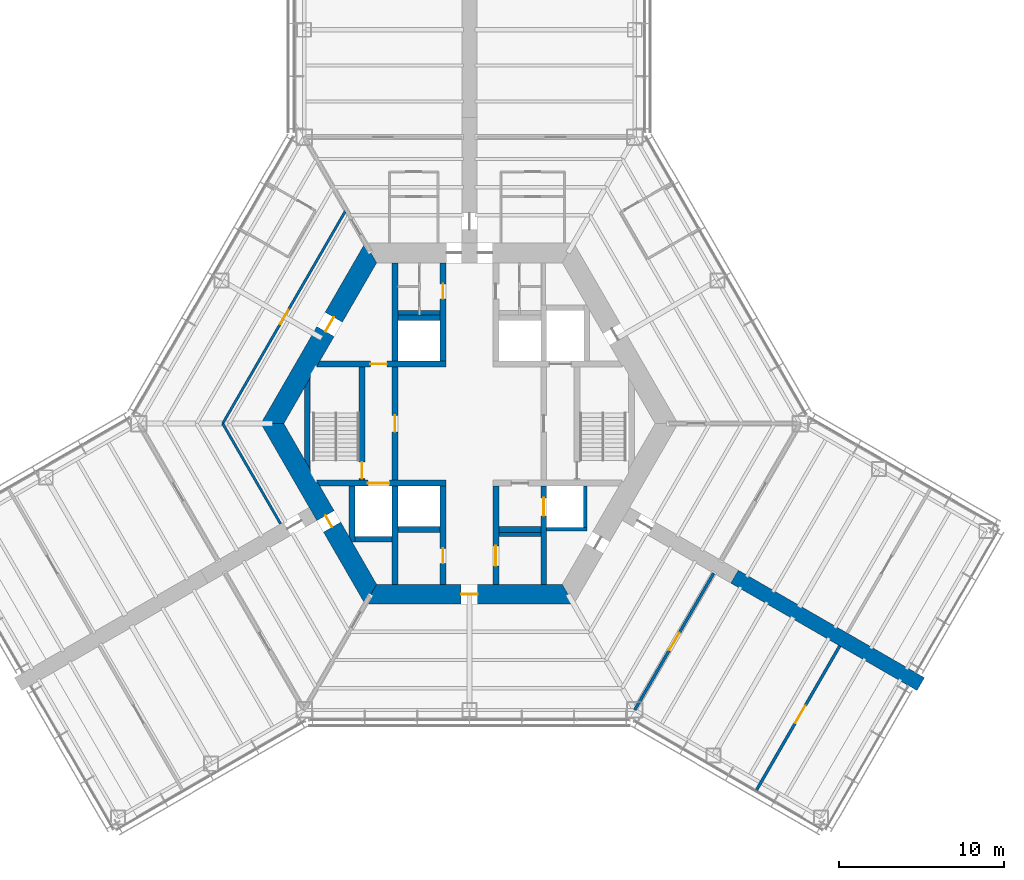
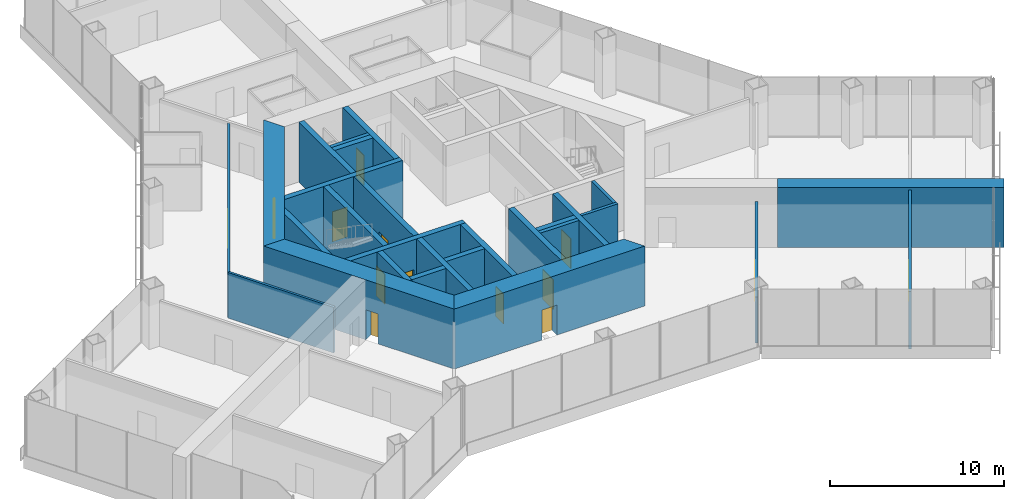
# One storey, part 11 of 16: 28 walls, 14 doors, 14 openings.
"""IFC4 building model written with IfcOpenShell, lengths in metres."""

from ifc_helpers import new_model, si_unit, direction, frame, frame_2d, origin, place, context, subcontext, project, spatial, polyline, rectangle, outline, extrude, material, layer, layer_set, type_object, element, fill, save


model = new_model("IFC4")

# Units and contexts
model_context = context("Model", 3, precision=1e-05, world=origin(), true_north=direction((0.0, 1.0)))
body_context = subcontext(model_context, "Body", "Model", "MODEL_VIEW")
ifc_project = project(units=[si_unit("LENGTHUNIT", "METRE"), si_unit("AREAUNIT", "SQUARE_METRE"), si_unit("VOLUMEUNIT", "CUBIC_METRE"), si_unit("PLANEANGLEUNIT", "RADIAN"), si_unit("MASSUNIT", "GRAM", prefix="KILO")], contexts=[model_context])

# Site, building, storey
site_placement = place(None, origin())
site = spatial("IfcSite", under=ifc_project, at=site_placement, CompositionType="ELEMENT")
building_placement = place(site_placement, origin())
building = spatial("IfcBuilding", under=site, at=building_placement, Name="Kasaneha Research Tower", CompositionType="ELEMENT")
storey_placement = place(building_placement, frame((0.0, 0.0, 18.39990234375)))
storey = spatial("IfcBuildingStorey", under=building, at=storey_placement, Name="L05", CompositionType="ELEMENT", Elevation=18.39990234375)

# Wall, opening, door
ifc_material_1 = material(Name="Concrete Fc100", Category="concrete")
ifc_layer_1 = layer(ifc_material_1, 0.35009765625)
ifc_layer_set_1 = layer_set([ifc_layer_1], Name="Core internal wall 350 Fc100")
wall_type_1 = type_object("IfcWallType", Name="Core internal wall 350 Fc100", PredefinedType="SHEAR", material=ifc_layer_set_1)
wall_1_placement = place(storey_placement, frame((-9.151123046875, 3.60009765625, 0.0), z_axis=(0.0, 0.0, 1.0), x_axis=(1.0, 0.0, 0.0)))
wall_1 = element("IfcWall", 1, at=wall_1_placement, inside=storey, type_object=wall_type_1, Name="Core wall W1W L05", PredefinedType="SHEAR", context=body_context, shape_type="SweptSolid", body=[
    extrude(outline(polyline([(-0.10107421875, -0.175048828125), (3.151123046875, -0.175048828125), (4.151123046875, -0.175048828125), (7.72607421875, -0.175048828125), (7.72607421875, 0.175048828125), (4.151123046875, 0.175048828125), (3.151123046875, 0.175048828125), (0.10107421875, 0.175048828125), (-0.10107421875, -0.175048828125)])), origin(), (0.0, 0.0, 1.0), 4.2001953125),
])
opening_1_placement = place(wall_1_placement, frame((3.151123046875, 0.0, 0.0)))
opening_1 = element("IfcOpeningElement", 2, at=opening_1_placement, cuts=wall_1, Name="Opening L05-D12", PredefinedType="OPENING", context=body_context, shape_type="SweptSolid", body=[
    extrude(rectangle(XDim=1.0, YDim=2.10009765625, at=frame_2d((0.5, 1.050048828125))), frame((0.0, 0.18505859375, 0.0), z_axis=(0.0, -1.0, 0.0), x_axis=(1.0, 0.0, 0.0)), (0.0, 0.0, 1.0), 0.3701171875),
])
ifc_material_2 = material(Name="Steel", Category="steel")
door_type_1 = type_object("IfcDoorType", Name="Specified fire door FD60 1000x2100", OperationType="NOTDEFINED", PredefinedType="DOOR", material=ifc_material_2)
door_1_placement = place(opening_1_placement, origin())
door_1 = element("IfcDoor", 3, at=door_1_placement, inside=storey, type_object=door_type_1, Name="Vestibule to lobby door L05-D12", OperationType="SINGLE_SWING_LEFT", OverallHeight=2.10009765625, OverallWidth=1.0, PredefinedType="DOOR", context=body_context, shape_type="SweptSolid", body=[
    extrude(rectangle(XDim=1.0, YDim=2.10009765625, at=frame_2d((0.5, 1.050048828125))), frame((0.0, 0.02490234375, 0.0), z_axis=(0.0, -1.0, 0.0), x_axis=(1.0, 0.0, 0.0)), (0.0, 0.0, 1.0), 0.050048828125),
])
fill(opening_1, door_1)

wall_2_placement = place(storey_placement, frame((-9.151123046875, -3.60009765625, 0.0), z_axis=(0.0, 0.0, 1.0), x_axis=(1.0, 0.0, 0.0)))
wall_2 = element("IfcWall", 4, at=wall_2_placement, inside=storey, type_object=wall_type_1, Name="Core wall W2W L05", PredefinedType="SHEAR", context=body_context, shape_type="SweptSolid", body=[
    extrude(outline(polyline([(0.10107421875, -0.175048828125), (3.0009765625, -0.175048828125), (4.301025390625, -0.175048828125), (7.72607421875, -0.175048828125), (7.72607421875, 0.175048828125), (4.301025390625, 0.175048828125), (3.0009765625, 0.175048828125), (-0.10107421875, 0.175048828125), (0.10107421875, -0.175048828125)])), origin(), (0.0, 0.0, 1.0), 4.2001953125),
])
opening_2_placement = place(wall_2_placement, frame((3.0009765625, 0.0, 0.0)))
opening_2 = element("IfcOpeningElement", 5, at=opening_2_placement, cuts=wall_2, Name="Opening LD-FL2-L05", PredefinedType="OPENING", context=body_context, shape_type="SweptSolid", body=[
    extrude(rectangle(XDim=1.300048828125, YDim=2.10009765625, at=frame_2d((0.64990234375, 1.050048828125))), frame((0.0, 0.18505859375, 0.0), z_axis=(0.0, -1.0, 0.0), x_axis=(1.0, 0.0, 0.0)), (0.0, 0.0, 1.0), 0.3701171875),
])
ifc_material_3 = material(Name="Steel", Category="steel")
door_type_2 = type_object("IfcDoorType", Name="Lift landing door 1300x2100", OperationType="DOUBLE_DOOR_SLIDING", PredefinedType="DOOR", material=ifc_material_3)
door_2_placement = place(opening_2_placement, origin())
door_2 = element("IfcDoor", 6, at=door_2_placement, inside=storey, type_object=door_type_2, Name="Landing door FL2 LD-FL2-L05", OperationType="DOUBLE_DOOR_SLIDING", OverallHeight=2.10009765625, OverallWidth=1.300048828125, PredefinedType="DOOR", context=body_context, shape_type="SweptSolid", body=[
    extrude(rectangle(XDim=1.300048828125, YDim=2.10009765625, at=frame_2d((0.64990234375, 1.050048828125))), frame((0.0, 0.02490234375, 0.0), z_axis=(0.0, -1.0, 0.0), x_axis=(1.0, 0.0, 0.0)), (0.0, 0.0, 1.0), 0.050048828125),
])
fill(opening_2, door_2)

wall_3_placement = place(storey_placement, frame((-1.60009765625, 3.77490234375, 0.0), z_axis=(0.0, 0.0, 1.0), x_axis=(0.0, 1.0, 0.0)))
wall_3 = element("IfcWall", 7, at=wall_3_placement, inside=storey, type_object=wall_type_1, Name="Core wall CNW L05", PredefinedType="SHEAR", context=body_context, shape_type="SweptSolid", body=[
    extrude(rectangle(XDim=5.9501953125, YDim=0.35009765625, at=frame_2d((2.97509765625, 0.0))), origin(), (0.0, 0.0, 1.0), 4.2001953125),
])
opening_3_placement = place(wall_3_placement, frame((3.77490234375, 0.0, 0.0)))
opening_3 = element("IfcOpeningElement", 8, at=opening_3_placement, cuts=wall_3, Name="Opening L05-D13", PredefinedType="OPENING", context=body_context, shape_type="SweptSolid", body=[
    extrude(rectangle(XDim=0.89990234375, YDim=2.10009765625, at=frame_2d((0.449951171875, 1.050048828125))), frame((0.0, 0.18505859375, 0.0), z_axis=(0.0, -1.0, 0.0), x_axis=(1.0, 0.0, 0.0)), (0.0, 0.0, 1.0), 0.3701171875),
])
ifc_material_4 = material(Name="Steel", Category="steel")
door_type_3 = type_object("IfcDoorType", Name="Toilet door FD20 900x2100", OperationType="NOTDEFINED", PredefinedType="DOOR", material=ifc_material_4)
door_3_placement = place(opening_3_placement, origin())
door_3 = element("IfcDoor", 9, at=door_3_placement, inside=storey, type_object=door_type_3, Name="Men's WC door L05-D13", OperationType="SINGLE_SWING_LEFT", OverallHeight=2.10009765625, OverallWidth=0.89990234375, PredefinedType="DOOR", context=body_context, shape_type="SweptSolid", body=[
    extrude(rectangle(XDim=0.89990234375, YDim=2.10009765625, at=frame_2d((0.449951171875, 1.050048828125))), frame((0.0, 0.02490234375, 0.0), z_axis=(0.0, -1.0, 0.0), x_axis=(1.0, 0.0, 0.0)), (0.0, 0.0, 1.0), 0.050048828125),
])
fill(opening_3, door_3)

wall_4_placement = place(storey_placement, frame((-1.60009765625, -3.77490234375, 0.0), z_axis=(0.0, 0.0, 1.0), x_axis=(0.0, -1.0, 0.0)))
wall_4 = element("IfcWall", 10, at=wall_4_placement, inside=storey, type_object=wall_type_1, Name="Core wall CSW L05", PredefinedType="SHEAR", context=body_context, shape_type="SweptSolid", body=[
    extrude(rectangle(XDim=5.9501953125, YDim=0.35009765625, at=frame_2d((2.97509765625, 0.0))), origin(), (0.0, 0.0, 1.0), 4.2001953125),
])
opening_4_placement = place(wall_4_placement, frame((3.77490234375, 0.0, 0.0)))
opening_4 = element("IfcOpeningElement", 11, at=opening_4_placement, cuts=wall_4, Name="Opening L05-D16", PredefinedType="OPENING", context=body_context, shape_type="SweptSolid", body=[
    extrude(rectangle(XDim=0.89990234375, YDim=2.10009765625, at=frame_2d((0.449951171875, 1.050048828125))), frame((0.0, 0.18505859375, 0.0), z_axis=(0.0, -1.0, 0.0), x_axis=(1.0, 0.0, 0.0)), (0.0, 0.0, 1.0), 0.3701171875),
])
ifc_material_5 = material(Name="Steel", Category="steel")
door_type_4 = type_object("IfcDoorType", Name="Riser access door FD60 900x2100", OperationType="NOTDEFINED", PredefinedType="DOOR", material=ifc_material_5)
door_4_placement = place(opening_4_placement, origin())
door_4 = element("IfcDoor", 12, at=door_4_placement, inside=storey, type_object=door_type_4, Name="Electrical riser door L05-D16", OperationType="SINGLE_SWING_LEFT", OverallHeight=2.10009765625, OverallWidth=0.89990234375, PredefinedType="DOOR", context=body_context, shape_type="SweptSolid", body=[
    extrude(rectangle(XDim=0.89990234375, YDim=2.10009765625, at=frame_2d((0.449951171875, 1.050048828125))), frame((0.0, 0.02490234375, 0.0), z_axis=(0.0, -1.0, 0.0), x_axis=(1.0, 0.0, 0.0)), (0.0, 0.0, 1.0), 0.050048828125),
])
fill(opening_4, door_4)

wall_5_placement = place(storey_placement, frame((1.60009765625, -3.77490234375, 0.0), z_axis=(0.0, 0.0, 1.0), x_axis=(0.0, -1.0, 0.0)))
wall_5 = element("IfcWall", 13, at=wall_5_placement, inside=storey, type_object=wall_type_1, Name="Core wall CSE L05", PredefinedType="SHEAR", context=body_context, shape_type="SweptSolid", body=[
    extrude(rectangle(XDim=5.9501953125, YDim=0.35009765625, at=frame_2d((2.97509765625, 0.0))), origin(), (0.0, 0.0, 1.0), 4.2001953125),
])
opening_5_placement = place(wall_5_placement, frame((3.625, 0.0, 0.0)))
opening_5 = element("IfcOpeningElement", 14, at=opening_5_placement, cuts=wall_5, Name="Opening L05-D15", PredefinedType="OPENING", context=body_context, shape_type="SweptSolid", body=[
    extrude(rectangle(XDim=1.199951171875, YDim=2.10009765625, at=frame_2d((0.60009765625, 1.050048828125))), frame((0.0, 0.18505859375, 0.0), z_axis=(0.0, -1.0, 0.0), x_axis=(1.0, 0.0, 0.0)), (0.0, 0.0, 1.0), 0.3701171875),
])
ifc_material_6 = material(Name="Steel", Category="steel")
door_type_5 = type_object("IfcDoorType", Name="Accessible toilet sliding door FD20 1200x2100", OperationType="SLIDING_TO_LEFT", PredefinedType="DOOR", material=ifc_material_6)
door_5_placement = place(opening_5_placement, origin())
door_5 = element("IfcDoor", 15, at=door_5_placement, inside=storey, type_object=door_type_5, Name="Accessible WC door L05-D15", OperationType="SLIDING_TO_LEFT", OverallHeight=2.10009765625, OverallWidth=1.199951171875, PredefinedType="DOOR", context=body_context, shape_type="SweptSolid", body=[
    extrude(rectangle(XDim=1.199951171875, YDim=2.10009765625, at=frame_2d((0.60009765625, 1.050048828125))), frame((0.0, 0.02490234375, 0.0), z_axis=(0.0, -1.0, 0.0), x_axis=(1.0, 0.0, 0.0)), (0.0, 0.0, 1.0), 0.050048828125),
])
fill(opening_5, door_5)

wall_6_placement = place(storey_placement, frame((-4.5, -3.425048828125, 0.0), z_axis=(0.0, 0.0, 1.0), x_axis=(0.0, 1.0, 0.0)))
wall_6 = element("IfcWall", 16, at=wall_6_placement, inside=storey, type_object=wall_type_1, Name="Core wall LBW L05", PredefinedType="SHEAR", context=body_context, shape_type="SweptSolid", body=[
    extrude(rectangle(XDim=6.85009765625, YDim=0.35009765625, at=frame_2d((3.425048828125, 0.0))), origin(), (0.0, 0.0, 1.0), 4.2001953125),
])
opening_6_placement = place(wall_6_placement, frame((2.925048828125, 0.0, 0.0)))
opening_6 = element("IfcOpeningElement", 17, at=opening_6_placement, cuts=wall_6, Name="Opening L05-D09", PredefinedType="OPENING", context=body_context, shape_type="SweptSolid", body=[
    extrude(rectangle(XDim=1.0, YDim=2.10009765625, at=frame_2d((0.5, 1.050048828125))), frame((0.0, 0.18505859375, 0.0), z_axis=(0.0, -1.0, 0.0), x_axis=(1.0, 0.0, 0.0)), (0.0, 0.0, 1.0), 0.3701171875),
])
door_6_placement = place(opening_6_placement, origin())
door_6 = element("IfcDoor", 18, at=door_6_placement, inside=storey, type_object=door_type_1, Name="Lift lobby door west L05-D09", OperationType="SINGLE_SWING_LEFT", OverallHeight=2.10009765625, OverallWidth=1.0, PredefinedType="DOOR", context=body_context, shape_type="SweptSolid", body=[
    extrude(rectangle(XDim=1.0, YDim=2.10009765625, at=frame_2d((0.5, 1.050048828125))), frame((0.0, 0.02490234375, 0.0), z_axis=(0.0, -1.0, 0.0), x_axis=(1.0, 0.0, 0.0)), (0.0, 0.0, 1.0), 0.050048828125),
])
fill(opening_6, door_6)

wall_7_placement = place(storey_placement, frame((-6.5, -3.425048828125, 0.0), z_axis=(0.0, 0.0, 1.0), x_axis=(0.0, 1.0, 0.0)))
wall_7 = element("IfcWall", 19, at=wall_7_placement, inside=storey, type_object=wall_type_1, Name="Core wall ANW L05", PredefinedType="SHEAR", context=body_context, shape_type="SweptSolid", body=[
    extrude(rectangle(XDim=6.85009765625, YDim=0.35009765625, at=frame_2d((3.425048828125, 0.0))), origin(), (0.0, 0.0, 1.0), 4.2001953125),
])
opening_7_placement = place(wall_7_placement, frame((0.10009765625, 0.0, 0.0)))
opening_7 = element("IfcOpeningElement", 20, at=opening_7_placement, cuts=wall_7, Name="Opening L05-D11", PredefinedType="OPENING", context=body_context, shape_type="SweptSolid", body=[
    extrude(rectangle(XDim=1.0, YDim=2.10009765625, at=frame_2d((0.5, 1.050048828125))), frame((0.0, 0.18505859375, 0.0), z_axis=(0.0, -1.0, 0.0), x_axis=(1.0, 0.0, 0.0)), (0.0, 0.0, 1.0), 0.3701171875),
])
door_7_placement = place(opening_7_placement, origin())
door_7 = element("IfcDoor", 21, at=door_7_placement, inside=storey, type_object=door_type_1, Name="Stair 2 door L05-D11", OperationType="SINGLE_SWING_LEFT", OverallHeight=2.10009765625, OverallWidth=1.0, PredefinedType="DOOR", context=body_context, shape_type="SweptSolid", body=[
    extrude(rectangle(XDim=1.0, YDim=2.10009765625, at=frame_2d((0.5, 1.050048828125))), frame((0.0, 0.02490234375, 0.0), z_axis=(0.0, -1.0, 0.0), x_axis=(1.0, 0.0, 0.0)), (0.0, 0.0, 1.0), 0.050048828125),
])
fill(opening_7, door_7)

# Walls
for number, where, z_axis, x_axis, name in (
    (22, (-4.5, 3.77490234375, 0.0), (0.0, 0.0, 1.0), (0.0, 1.0, 0.0), "Core wall VNW L05"),
    (23, (-4.5, -3.77490234375, 0.0), (0.0, 0.0, 1.0), (0.0, -1.0, 0.0), "Core wall SSW L05"),
):
    element("IfcWall", number, at=place(storey_placement, frame(where, z_axis=z_axis, x_axis=x_axis)), inside=storey, type_object=wall_type_1, Name=name, PredefinedType="SHEAR", context=body_context, shape_type="SweptSolid", body=[
        extrude(rectangle(XDim=5.9501953125, YDim=0.35009765625, at=frame_2d((2.97509765625, 0.0))), origin(), (0.0, 0.0, 1.0), 4.2001953125),
    ])

# Wall, opening, door
wall_8_placement = place(storey_placement, frame((4.5, -3.77490234375, 0.0), z_axis=(0.0, 0.0, 1.0), x_axis=(0.0, -1.0, 0.0)))
wall_8 = element("IfcWall", 24, at=wall_8_placement, inside=storey, type_object=wall_type_1, Name="Core wall SSE L05", PredefinedType="SHEAR", context=body_context, shape_type="SweptSolid", body=[
    extrude(rectangle(XDim=5.9501953125, YDim=0.35009765625, at=frame_2d((2.97509765625, 0.0))), origin(), (0.0, 0.0, 1.0), 4.2001953125),
])
opening_8_placement = place(wall_8_placement, frame((0.71240234375, 0.0, 0.0)))
opening_8 = element("IfcOpeningElement", 25, at=opening_8_placement, cuts=wall_8, Name="Opening LD-PL1-L05", PredefinedType="OPENING", context=body_context, shape_type="SweptSolid", body=[
    extrude(rectangle(XDim=1.10009765625, YDim=2.10009765625, at=frame_2d((0.550048828125, 1.050048828125))), frame((0.0, 0.18505859375, 0.0), z_axis=(0.0, -1.0, 0.0), x_axis=(1.0, 0.0, 0.0)), (0.0, 0.0, 1.0), 0.3701171875),
])
ifc_material_7 = material(Name="Steel", Category="steel")
door_type_6 = type_object("IfcDoorType", Name="Lift landing door 1100x2100", OperationType="DOUBLE_DOOR_SLIDING", PredefinedType="DOOR", material=ifc_material_7)
door_8_placement = place(opening_8_placement, origin())
door_8 = element("IfcDoor", 26, at=door_8_placement, inside=storey, type_object=door_type_6, Name="Landing door PL1 LD-PL1-L05", OperationType="DOUBLE_DOOR_SLIDING", OverallHeight=2.10009765625, OverallWidth=1.10009765625, PredefinedType="DOOR", context=body_context, shape_type="SweptSolid", body=[
    extrude(rectangle(XDim=1.10009765625, YDim=2.10009765625, at=frame_2d((0.550048828125, 1.050048828125))), frame((0.0, 0.02490234375, 0.0), z_axis=(0.0, -1.0, 0.0), x_axis=(1.0, 0.0, 0.0)), (0.0, 0.0, 1.0), 0.050048828125),
])
fill(opening_8, door_8)

# Walls
for number, where, z_axis, x_axis, name in (
    (27, (-4.324951171875, 6.39990234375, 0.0), (0.0, 0.0, 1.0), (1.0, 0.0, 0.0), "Core wall N1N L05"),
    (28, (-4.324951171875, -6.39990234375, 0.0), (0.0, 0.0, 1.0), (1.0, 0.0, 0.0), "Core wall S1S L05"),
    (29, (1.77490234375, -6.39990234375, 0.0), (0.0, 0.0, 1.0), (1.0, 0.0, 0.0), "Core wall S3S L05"),
):
    element("IfcWall", number, at=place(storey_placement, frame(where, z_axis=z_axis, x_axis=x_axis)), inside=storey, type_object=wall_type_1, Name=name, PredefinedType="SHEAR", context=body_context, shape_type="SweptSolid", body=[
        extrude(rectangle(XDim=2.550048828125, YDim=0.35009765625, at=frame_2d((1.27490234375, 0.0))), origin(), (0.0, 0.0, 1.0), 4.2001953125),
    ])
wall_9_placement = place(storey_placement, frame((-6.925048828125, -7.0, 0.0), z_axis=(0.0, 0.0, 1.0), x_axis=(1.0, 0.0, 0.0)))
element("IfcWall", 30, at=wall_9_placement, inside=storey, type_object=wall_type_1, Name="Core wall F2S L05", PredefinedType="SHEAR", context=body_context, shape_type="SweptSolid", body=[
    extrude(rectangle(XDim=2.25, YDim=0.35009765625, at=frame_2d((1.125, 0.0))), origin(), (0.0, 0.0, 1.0), 4.2001953125),
])
wall_10_placement = place(storey_placement, frame((-7.10009765625, -3.77490234375, 0.0), z_axis=(0.0, 0.0, 1.0), x_axis=(0.0, -1.0, 0.0)))
element("IfcWall", 31, at=wall_10_placement, inside=storey, type_object=wall_type_1, Name="Core wall F2W L05", PredefinedType="SHEAR", context=body_context, shape_type="SweptSolid", body=[
    extrude(outline(polyline([(0.0, -0.175048828125), (3.07421875, -0.175048828125), (3.37744140625, 0.0), (3.39990234375, 0.175048828125), (0.0, 0.175048828125), (0.0, -0.175048828125)])), origin(), (0.0, 0.0, 1.0), 4.2001953125),
])
wall_11_placement = place(storey_placement, frame((-9.807861328125, -2.462158203125, 0.0), z_axis=(0.0, 0.0, 1.0), x_axis=(0.0, 1.0, 0.0)))
element("IfcWall", 32, at=wall_11_placement, inside=storey, type_object=wall_type_1, Name="Core wall STW L05", PredefinedType="SHEAR", context=body_context, shape_type="SweptSolid", body=[
    extrude(outline(polyline([(-0.30322265625, -0.175048828125), (5.2275390625, -0.175048828125), (4.62109375, 0.175048828125), (0.30322265625, 0.175048828125), (-0.30322265625, -0.175048828125)])), origin(), (0.0, 0.0, 1.0), 4.2001953125),
])

# Wall, opening, door
ifc_material_8 = material(Name="Concrete Fc100", Category="concrete")
ifc_layer_2 = layer(ifc_material_8, 1.199951171875)
ifc_layer_set_2 = layer_set([ifc_layer_2], Name="Core wall 1200 Fc100")
wall_type_2 = type_object("IfcWallType", Name="Core wall 1200 Fc100", PredefinedType="SHEAR", material=ifc_layer_set_2)
wall_12_placement = place(storey_placement, frame((-5.961181640625, 10.324951171875, 0.0), z_axis=(0.0, 0.0, 1.0), x_axis=(-0.500004296715, -0.866022923061, 0.0)))
wall_12 = element("IfcWall", 33, at=wall_12_placement, inside=storey, type_object=wall_type_2, Name="Core wall 150 L05", PredefinedType="SHEAR", context=body_context, shape_type="SweptSolid", body=[
    extrude(outline(polyline([(-0.346435546875, -0.60009765625), (4.494140625, -0.60009765625), (5.494140625, -0.60009765625), (12.268798828125, -0.60009765625), (11.575927734375, 0.60009765625), (5.494140625, 0.60009765625), (4.494140625, 0.60009765625), (0.346435546875, 0.60009765625), (-0.346435546875, -0.60009765625)])), origin(), (0.0, 0.0, 1.0), 4.2001953125),
])
opening_9_placement = place(wall_12_placement, frame((4.494140625, 0.0, 0.0)))
opening_9 = element("IfcOpeningElement", 34, at=opening_9_placement, cuts=wall_12, Name="Opening L05-D07", PredefinedType="OPENING", context=body_context, shape_type="SweptSolid", body=[
    extrude(rectangle(XDim=1.0, YDim=2.10009765625, at=frame_2d((0.5, 1.050048828125))), frame((0.0, 0.60986328125, 0.0), z_axis=(0.0, -1.0, 0.0), x_axis=(1.0, 0.0, 0.0)), (0.0, 0.0, 1.0), 1.219970703125),
])
ifc_material_9 = material(Name="Steel", Category="steel")
door_type_7 = type_object("IfcDoorType", Name="Fire door FD20 1000x2100", OperationType="NOTDEFINED", PredefinedType="DOOR", material=ifc_material_9)
door_9_placement = place(opening_9_placement, origin())
door_9 = element("IfcDoor", 35, at=door_9_placement, inside=storey, type_object=door_type_7, Name="Vestibule door L05-D07", OperationType="SINGLE_SWING_LEFT", OverallHeight=2.10009765625, OverallWidth=1.0, PredefinedType="DOOR", context=body_context, shape_type="SweptSolid", body=[
    extrude(rectangle(XDim=1.0, YDim=2.10009765625, at=frame_2d((0.5, 1.050048828125))), frame((0.0, 0.02490234375, 0.0), z_axis=(0.0, -1.0, 0.0), x_axis=(1.0, 0.0, 0.0)), (0.0, 0.0, 1.0), 0.050048828125),
])
fill(opening_9, door_9)

wall_13_placement = place(storey_placement, frame((-11.92236328125, 0.0, 0.0), z_axis=(0.0, 0.0, 1.0), x_axis=(0.500004296715, -0.866022923061, 0.0)))
wall_13 = element("IfcWall", 36, at=wall_13_placement, inside=storey, type_object=wall_type_2, Name="Core wall 210 L05", PredefinedType="SHEAR", context=body_context, shape_type="SweptSolid", body=[
    extrude(outline(polyline([(-0.346435546875, -0.60009765625), (6.43115234375, -0.60009765625), (7.231201171875, -0.60009765625), (12.268798828125, -0.60009765625), (11.575927734375, 0.60009765625), (7.231201171875, 0.60009765625), (6.43115234375, 0.60009765625), (0.346435546875, 0.60009765625), (-0.346435546875, -0.60009765625)])), origin(), (0.0, 0.0, 1.0), 4.2001953125),
])
opening_10_placement = place(wall_13_placement, frame((6.43115234375, 0.0, 0.0)))
opening_10 = element("IfcOpeningElement", 37, at=opening_10_placement, cuts=wall_13, Name="Opening L05-D06", PredefinedType="OPENING", context=body_context, shape_type="SweptSolid", body=[
    extrude(rectangle(XDim=0.800048828125, YDim=2.10009765625, at=frame_2d((0.39990234375, 1.050048828125))), frame((0.0, 0.60986328125, 0.0), z_axis=(0.0, -1.0, 0.0), x_axis=(1.0, 0.0, 0.0)), (0.0, 0.0, 1.0), 1.219970703125),
])
ifc_material_10 = material(Name="Steel", Category="steel")
door_type_8 = type_object("IfcDoorType", Name="Riser access door FD60 800x2100", OperationType="NOTDEFINED", PredefinedType="DOOR", material=ifc_material_10)
door_10_placement = place(opening_10_placement, origin())
door_10 = element("IfcDoor", 38, at=door_10_placement, inside=storey, type_object=door_type_8, Name="Duct riser door L05-D06", OperationType="SINGLE_SWING_RIGHT", OverallHeight=2.10009765625, OverallWidth=0.800048828125, PredefinedType="DOOR", context=body_context, shape_type="SweptSolid", body=[
    extrude(rectangle(XDim=0.800048828125, YDim=2.10009765625, at=frame_2d((0.39990234375, 1.050048828125))), frame((0.0, 0.02490234375, 0.0), z_axis=(0.0, -1.0, 0.0), x_axis=(1.0, 0.0, 0.0)), (0.0, 0.0, 1.0), 0.050048828125),
])
fill(opening_10, door_10)

wall_14_placement = place(storey_placement, frame((-5.961181640625, -10.324951171875, 0.0), z_axis=(0.0, 0.0, 1.0), x_axis=(1.0, 0.0, 0.0)))
wall_14 = element("IfcWall", 39, at=wall_14_placement, inside=storey, type_object=wall_type_2, Name="Core wall 270 L05", PredefinedType="SHEAR", context=body_context, shape_type="SweptSolid", body=[
    extrude(outline(polyline([(-0.346435546875, -0.60009765625), (5.461181640625, -0.60009765625), (6.461181640625, -0.60009765625), (12.268798828125, -0.60009765625), (11.575927734375, 0.60009765625), (6.461181640625, 0.60009765625), (5.461181640625, 0.60009765625), (0.346435546875, 0.60009765625), (-0.346435546875, -0.60009765625)])), origin(), (0.0, 0.0, 1.0), 4.2001953125),
])
opening_11_placement = place(wall_14_placement, frame((5.461181640625, 0.0, 0.0)))
opening_11 = element("IfcOpeningElement", 40, at=opening_11_placement, cuts=wall_14, Name="Opening L05-D03", PredefinedType="OPENING", context=body_context, shape_type="SweptSolid", body=[
    extrude(rectangle(XDim=1.0, YDim=2.10009765625, at=frame_2d((0.5, 1.050048828125))), frame((0.0, 0.60986328125, 0.0), z_axis=(0.0, -1.0, 0.0), x_axis=(1.0, 0.0, 0.0)), (0.0, 0.0, 1.0), 1.219970703125),
])
door_11_placement = place(opening_11_placement, origin())
door_11 = element("IfcDoor", 41, at=door_11_placement, inside=storey, type_object=door_type_7, Name="Core door south L05-D03", OperationType="SINGLE_SWING_LEFT", OverallHeight=2.10009765625, OverallWidth=1.0, PredefinedType="DOOR", context=body_context, shape_type="SweptSolid", body=[
    extrude(rectangle(XDim=1.0, YDim=2.10009765625, at=frame_2d((0.5, 1.050048828125))), frame((0.0, 0.02490234375, 0.0), z_axis=(0.0, -1.0, 0.0), x_axis=(1.0, 0.0, 0.0)), (0.0, 0.0, 1.0), 0.050048828125),
])
fill(opening_11, door_11)

ifc_material_11 = material(Name="Gypsum board on steel studs, two layers each side", Category="steel")
ifc_layer_3 = layer(ifc_material_11, 0.175048828125)
ifc_layer_set_3 = layer_set([ifc_layer_3], Name="Laboratory fire partition 175")
wall_type_3 = type_object("IfcWallType", Name="Laboratory fire partition 175", PredefinedType="PARTITIONING", material=ifc_layer_set_3)
wall_15_placement = place(storey_placement, frame((14.77490234375, -9.050048828125, 0.0), z_axis=(0.0, 0.0, 1.0), x_axis=(-0.499993908199, -0.866028920859, 0.0)))
wall_15 = element("IfcWall", 42, at=wall_15_placement, inside=storey, type_object=wall_type_3, Name="Laboratory fire partition LABC-S L05", PredefinedType="PARTITIONING", context=body_context, shape_type="SweptSolid", body=[
    extrude(rectangle(XDim=9.5498046875, YDim=0.175048828125, at=frame_2d((4.77490234375, 0.0))), origin(), (0.0, 0.0, 1.0), 3.2080078125),
])
opening_12_placement = place(wall_15_placement, frame((4.175048828125, 0.0, 0.0)))
opening_12 = element("IfcOpeningElement", 43, at=opening_12_placement, cuts=wall_15, Name="Opening L05-D44", PredefinedType="OPENING", context=body_context, shape_type="SweptSolid", body=[
    extrude(rectangle(XDim=1.199951171875, YDim=2.10009765625, at=frame_2d((0.60009765625, 1.050048828125))), frame((0.0, 0.09765625, 0.0), z_axis=(0.0, -1.0, 0.0), x_axis=(1.0, 0.0, 0.0)), (0.0, 0.0, 1.0), 0.195068359375),
])
ifc_material_12 = material(Name="Steel", Category="steel")
door_type_9 = type_object("IfcDoorType", Name="Laboratory door FD60 1200x2100", OperationType="DOUBLE_DOOR_SINGLE_SWING", PredefinedType="DOOR", material=ifc_material_12)
door_12_placement = place(opening_12_placement, origin())
door_12 = element("IfcDoor", 44, at=door_12_placement, inside=storey, type_object=door_type_9, Name="Laboratory door L05-D44", OperationType="DOUBLE_DOOR_SINGLE_SWING", OverallHeight=2.10009765625, OverallWidth=1.199951171875, PredefinedType="DOOR", context=body_context, shape_type="SweptSolid", body=[
    extrude(rectangle(XDim=1.199951171875, YDim=2.10009765625, at=frame_2d((0.60009765625, 1.050048828125))), frame((0.0, 0.02490234375, 0.0), z_axis=(0.0, -1.0, 0.0), x_axis=(1.0, 0.0, 0.0)), (0.0, 0.0, 1.0), 0.050048828125),
])
fill(opening_12, door_12)

wall_16_placement = place(storey_placement, frame((22.39599609375, -13.449951171875, 0.0), z_axis=(0.0, 0.0, 1.0), x_axis=(-0.500005203629, -0.866022399447, 0.0)))
wall_16 = element("IfcWall", 45, at=wall_16_placement, inside=storey, type_object=wall_type_3, Name="Laboratory fire partition SUPC-S L05", PredefinedType="PARTITIONING", context=body_context, shape_type="SweptSolid", body=[
    extrude(rectangle(XDim=10.14013671875, YDim=0.175048828125, at=frame_2d((5.070068359375, 0.0))), origin(), (0.0, 0.0, 1.0), 4.0),
])
opening_13_placement = place(wall_16_placement, frame((4.175048828125, 0.0, 0.0)))
opening_13 = element("IfcOpeningElement", 46, at=opening_13_placement, cuts=wall_16, Name="Opening L05-D45", PredefinedType="OPENING", context=body_context, shape_type="SweptSolid", body=[
    extrude(rectangle(XDim=1.199951171875, YDim=2.10009765625, at=frame_2d((0.60009765625, 1.050048828125))), frame((0.0, 0.09765625, 0.0), z_axis=(0.0, -1.0, 0.0), x_axis=(1.0, 0.0, 0.0)), (0.0, 0.0, 1.0), 0.195068359375),
])
door_13_placement = place(opening_13_placement, origin())
door_13 = element("IfcDoor", 47, at=door_13_placement, inside=storey, type_object=door_type_9, Name="Laboratory support room door L05-D45", OperationType="DOUBLE_DOOR_SINGLE_SWING", OverallHeight=2.10009765625, OverallWidth=1.199951171875, PredefinedType="DOOR", context=body_context, shape_type="SweptSolid", body=[
    extrude(rectangle(XDim=1.199951171875, YDim=2.10009765625, at=frame_2d((0.60009765625, 1.050048828125))), frame((0.0, 0.02490234375, 0.0), z_axis=(0.0, -1.0, 0.0), x_axis=(1.0, 0.0, 0.0)), (0.0, 0.0, 1.0), 0.050048828125),
])
fill(opening_13, door_13)

# Walls
ifc_material_13 = material(Name="Concrete block", Category="concrete")
ifc_layer_4 = layer(ifc_material_13, 0.199951171875)
ifc_layer_set_4 = layer_set([ifc_layer_4], Name="Lift shaft wall 200")
wall_type_4 = type_object("IfcWallType", Name="Lift shaft wall 200", PredefinedType="STANDARD", material=ifc_layer_set_4)
wall_17_placement = place(storey_placement, frame((4.675048828125, -6.39990234375, 0.0), z_axis=(0.0, 0.0, 1.0), x_axis=(1.0, 0.0, 0.0)))
element("IfcWall", 48, at=wall_17_placement, inside=storey, type_object=wall_type_4, Name="Lift shaft wall P1S L05", PredefinedType="STANDARD", context=body_context, shape_type="SweptSolid", body=[
    extrude(rectangle(XDim=2.425048828125, YDim=0.199951171875, at=frame_2d((1.21240234375, 0.0))), origin(), (0.0, 0.0, 1.0), 4.2001953125),
])
wall_18_placement = place(storey_placement, frame((7.0, -3.77490234375, 0.0), z_axis=(0.0, 0.0, 1.0), x_axis=(0.0, -1.0, 0.0)))
element("IfcWall", 49, at=wall_18_placement, inside=storey, type_object=wall_type_4, Name="Lift shaft wall P1E L05", PredefinedType="STANDARD", context=body_context, shape_type="SweptSolid", body=[
    extrude(rectangle(XDim=2.525146484375, YDim=0.199951171875, at=frame_2d((1.2626953125, 0.0))), origin(), (0.0, 0.0, 1.0), 4.2001953125),
])
ifc_material_14 = material(Name="Concrete Fc100", Category="concrete")
ifc_layer_5 = layer(ifc_material_14, 0.89990234375)
ifc_layer_set_5 = layer_set([ifc_layer_5], Name="Spine wall 900 Fc100")
wall_type_5 = type_object("IfcWallType", Name="Spine wall 900 Fc100", PredefinedType="SHEAR", material=ifc_layer_set_5)
wall_19_placement = place(storey_placement, frame((16.039306640625, -9.26025390625, 0.0), z_axis=(0.0, 0.0, 1.0), x_axis=(0.866024837091, -0.50000098154, 0.0)))
element("IfcWall", 50, at=wall_19_placement, inside=storey, type_object=wall_type_5, Name="Spine wall C wing L05", PredefinedType="SHEAR", context=body_context, shape_type="SweptSolid", body=[
    extrude(rectangle(XDim=13.0, YDim=0.89990234375, at=frame_2d((6.5, 0.0))), origin(), (0.0, 0.0, 1.0), 4.2001953125),
])

# Wall, opening, door
ifc_material_15 = material(Name="Gypsum board on steel studs, two layers each side", Category="steel")
ifc_layer_6 = layer(ifc_material_15, 0.14990234375)
ifc_layer_set_6 = layer_set([ifc_layer_6], Name="Suite partition 150")
wall_type_6 = type_object("IfcWallType", Name="Suite partition 150", PredefinedType="PARTITIONING", material=ifc_layer_set_6)
wall_20_placement = place(storey_placement, frame((-14.924560546875, 0.0, 0.0), z_axis=(0.0, 0.0, 1.0), x_axis=(0.499998060015, 0.866026523833, 0.0)))
wall_20 = element("IfcWall", 51, at=wall_20_placement, inside=storey, type_object=wall_type_6, Name="Suite partition FBN01 L05", PredefinedType="PARTITIONING", context=body_context, shape_type="SweptSolid", body=[
    extrude(rectangle(XDim=14.9013671875, YDim=0.14990234375, at=frame_2d((7.45068359375, 0.0))), origin(), (0.0, 0.0, 1.0), 3.2001953125),
])
opening_14_placement = place(wall_20_placement, frame((6.95068359375, 0.0, 0.0)))
opening_14 = element("IfcOpeningElement", 52, at=opening_14_placement, cuts=wall_20, Name="Opening L05-D37", PredefinedType="OPENING", context=body_context, shape_type="SweptSolid", body=[
    extrude(rectangle(XDim=1.0, YDim=2.10009765625, at=frame_2d((0.5, 1.050048828125))), frame((0.0, 0.0849609375, 0.0), z_axis=(0.0, -1.0, 0.0), x_axis=(1.0, 0.0, 0.0)), (0.0, 0.0, 1.0), 0.169921875),
])
ifc_material_16 = material(Name="Steel", Category="steel")
door_type_10 = type_object("IfcDoorType", Name="Suite entrance door FD60 1000x2100", OperationType="NOTDEFINED", PredefinedType="DOOR", material=ifc_material_16)
door_14_placement = place(opening_14_placement, origin())
door_14 = element("IfcDoor", 53, at=door_14_placement, inside=storey, type_object=door_type_10, Name="Suite entrance door L05-D37", OperationType="SINGLE_SWING_RIGHT", OverallHeight=2.10009765625, OverallWidth=1.0, PredefinedType="DOOR", context=body_context, shape_type="SweptSolid", body=[
    extrude(rectangle(XDim=1.0, YDim=2.10009765625, at=frame_2d((0.5, 1.050048828125))), frame((0.0, 0.02490234375, 0.0), z_axis=(0.0, -1.0, 0.0), x_axis=(1.0, 0.0, 0.0)), (0.0, 0.0, 1.0), 0.050048828125),
])
fill(opening_14, door_14)

# Walls
wall_21_placement = place(storey_placement, frame((-11.428466796875, -6.055419921875, 0.0), z_axis=(0.0, 0.0, 1.0), x_axis=(-0.499999509601, 0.866025686916, 0.0)))
element("IfcWall", 54, at=wall_21_placement, inside=storey, type_object=wall_type_6, Name="Suite partition FBN02 L05", PredefinedType="PARTITIONING", context=body_context, shape_type="SweptSolid", body=[
    extrude(rectangle(XDim=6.9921875, YDim=0.14990234375, at=frame_2d((3.49609375, 0.0))), origin(), (0.0, 0.0, 1.0), 3.2001953125),
])
ifc_material_17 = material(Name="Concrete block lining", Category="concrete")
ifc_layer_7 = layer(ifc_material_17, 0.25)
ifc_layer_set_7 = layer_set([ifc_layer_7], Name="WC plumbing wall 250")
wall_type_7 = type_object("IfcWallType", Name="WC plumbing wall 250", PredefinedType="PLUMBINGWALL", material=ifc_layer_set_7)
for number, where, z_axis, x_axis, name in (
    (55, (-4.324951171875, 6.699951171875, 0.0), (0.0, 0.0, 1.0), (1.0, 0.0, 0.0), "WC plumbing wall M L05"),
    (56, (1.77490234375, -6.699951171875, 0.0), (0.0, 0.0, 1.0), (1.0, 0.0, 0.0), "WC plumbing wall A L05"),
):
    element("IfcWall", number, at=place(storey_placement, frame(where, z_axis=z_axis, x_axis=x_axis)), inside=storey, type_object=wall_type_7, Name=name, PredefinedType="PLUMBINGWALL", context=body_context, shape_type="SweptSolid", body=[
        extrude(rectangle(XDim=2.550048828125, YDim=0.25, at=frame_2d((1.27490234375, 0.0))), origin(), (0.0, 0.0, 1.0), 4.2001953125),
    ])

save(model, "model.ifc")
